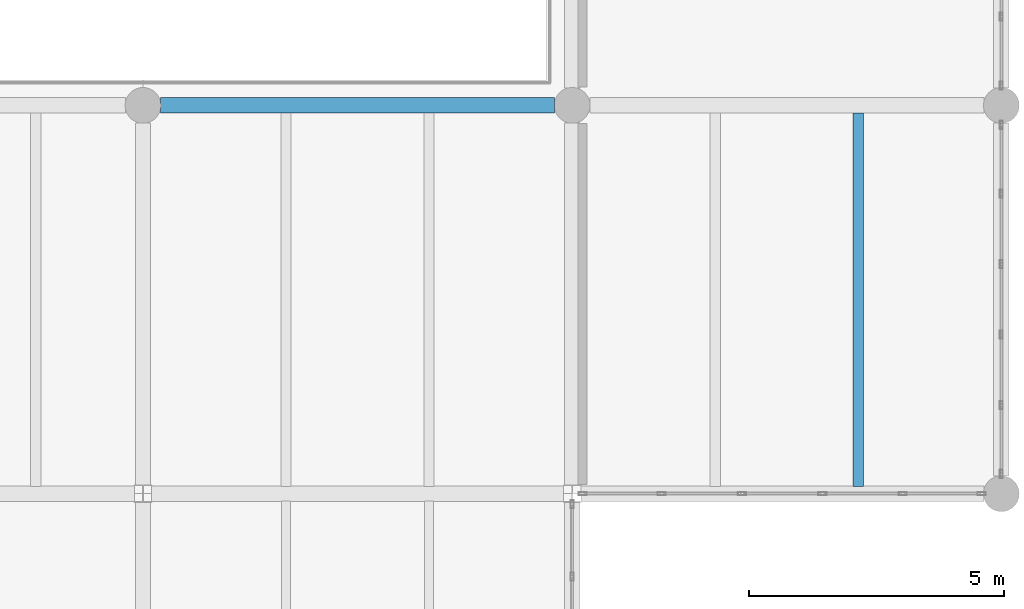
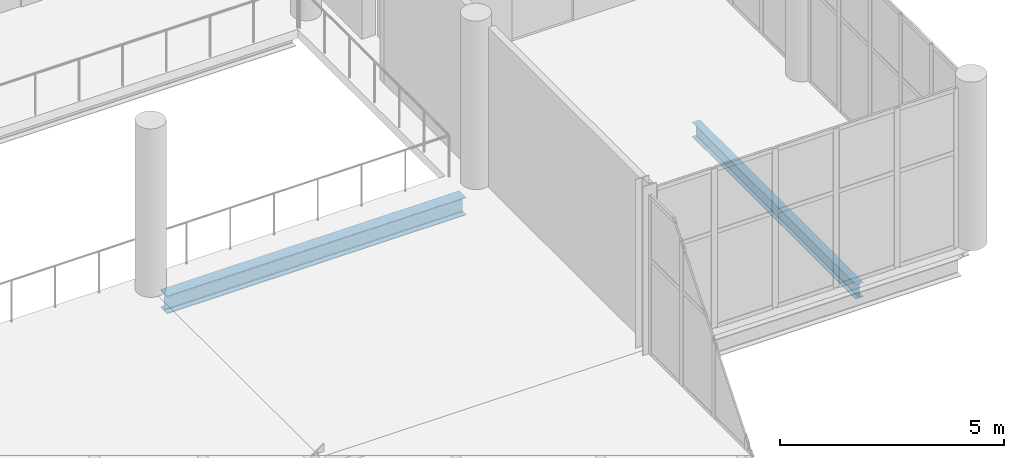
# One storey, part 18 of 74: 2 beams.
"""IFC4 building model written with IfcOpenShell, lengths in metres."""

from ifc_helpers import new_model, si_unit, direction, frame, origin, origin_2d, place, context, subcontext, project, spatial, i_section, extrude, material, material_profile, profile_set, type_object, element, save


model = new_model("IFC4")

# Units and contexts
model_context = context("Model", 3, precision=1e-05, world=origin(), true_north=direction((0.0, 1.0)))
body_context = subcontext(model_context, "Body", "Model", "MODEL_VIEW")
ifc_project = project(units=[si_unit("LENGTHUNIT", "METRE"), si_unit("AREAUNIT", "SQUARE_METRE"), si_unit("VOLUMEUNIT", "CUBIC_METRE"), si_unit("PLANEANGLEUNIT", "RADIAN"), si_unit("MASSUNIT", "GRAM", prefix="KILO")], contexts=[model_context])

# Site, building, storey
site_placement = place(None, origin())
site = spatial("IfcSite", under=ifc_project, at=site_placement, CompositionType="ELEMENT")
building_placement = place(site_placement, origin())
building = spatial("IfcBuilding", under=site, at=building_placement, Name="Shengluoqiao Park Theatre", CompositionType="ELEMENT")
storey_placement = place(building_placement, frame((0.0, 0.0, 14.60009765625)))
storey = spatial("IfcBuildingStorey", under=building, at=storey_placement, Name="L03", CompositionType="ELEMENT", Elevation=14.60009765625)

# Beams
ifc_material = material(Name="Steel Q355", Category="steel")
ifc_material_profile_1 = material_profile(ifc_material, i_section(OverallWidth=0.300048828125, OverallDepth=0.488037109375, WebThickness=0.010986328125, FlangeThickness=0.01806640625, FilletRadius=0.02197265625, at=origin_2d()), Name="HM 488x300x11x18")
ifc_profile_set_1 = profile_set([ifc_material_profile_1], Name="Steel Q355")
beam_type_1 = type_object("IfcBeamType", Name="STR-BM-G-HM488", PredefinedType="BEAM", material=ifc_profile_set_1)
beam_1_placement = place(storey_placement, frame((27.944091796875, 60.800048828125, -0.484130859375), z_axis=(1.0, 0.0, 0.0), x_axis=(0.0, 1.0, 0.0)))
element("IfcBeam", 1, at=beam_1_placement, inside=storey, type_object=beam_type_1, Name="L03 Primary Girder 01336", PredefinedType="BEAM", context=body_context, shape_type="SweptSolid", body=[
    extrude(i_section(OverallWidth=0.300048828125, OverallDepth=0.488037109375, WebThickness=0.010986328125, FlangeThickness=0.01806640625, FilletRadius=0.02197265625, at=origin_2d()), origin(), (0.0, 0.0, 1.0), 7.7119140625),
])
ifc_material_profile_2 = material_profile(ifc_material, i_section(OverallWidth=0.199951171875, OverallDepth=0.39990234375, WebThickness=0.008056640625, FlangeThickness=0.012939453125, FilletRadius=0.01611328125, at=origin_2d()), Name="HN 400x200x8x13")
ifc_profile_set_2 = profile_set([ifc_material_profile_2], Name="Steel Q355")
beam_type_2 = type_object("IfcBeamType", Name="STR-BM-J-HN400", PredefinedType="JOIST", material=ifc_profile_set_2)
beam_2_placement = place(storey_placement, frame((41.60009765625, 53.344970703125, -0.440185546875), z_axis=(0.0, 1.0, 0.0), x_axis=(-1.0, 0.0, 0.0)))
element("IfcBeam", 2, at=beam_2_placement, inside=storey, type_object=beam_type_2, Name="L03 Composite Joist 01352", PredefinedType="JOIST", context=body_context, shape_type="SweptSolid", body=[
    extrude(i_section(OverallWidth=0.199951171875, OverallDepth=0.39990234375, WebThickness=0.008056640625, FlangeThickness=0.012939453125, FilletRadius=0.01611328125, at=origin_2d()), origin(), (0.0, 0.0, 1.0), 7.31005859375),
])

save(model, "model.ifc")
